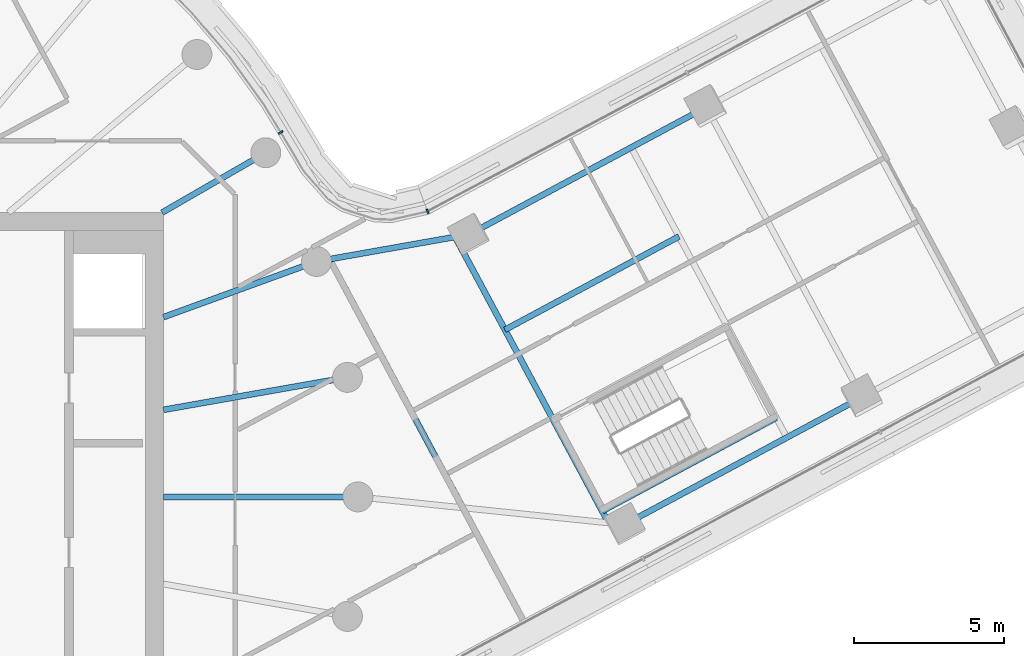
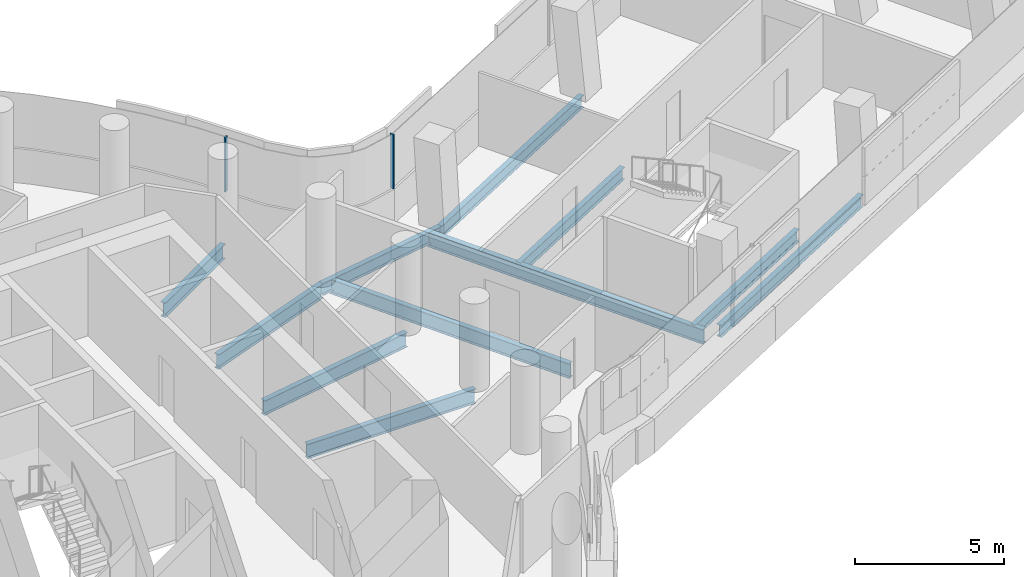
# One storey, part 11 of 33: 11 beams, 2 members, 1 element without a shape of its own.
"""IFC4 building model written with IfcOpenShell, lengths in metres."""

import ifcopenshell
import ifcopenshell.guid

model = None  # the IFC model being written
_history = None  # IfcOwnerHistory: only IFC2X3 demands one
_inside = {}  # id of a spatial element -> (the spatial element, [elements in it])
_under = {}  # id of a project, library or spatial element -> (it, [spatial elements below it])
_declared = {}  # id of a project -> (the project, [libraries it declares])
_typed = {}  # id of a type object -> (the type object, [elements of that type])
_made_of = {}  # id of a material, layer set ... -> (it, [elements and type objects made of it])


def new_model(schema):
    """Start an empty IFC model of exactly this schema.

    Asked for "IFC4X3", IfcOpenShell would pick the latest addendum, in which some entities
    have other attributes; the version numbers below select the first issue.
    IFC2X3 requires an IfcOwnerHistory on every rooted entity: one is made here for all.
    """
    global model, _history
    if schema == "IFC4X3":
        model = ifcopenshell.file(schema_version=(4, 3, 0, 0))
    else:
        model = ifcopenshell.file(schema=schema)
    _inside.clear()
    _under.clear()
    _declared.clear()
    _typed.clear()
    _made_of.clear()
    _history = None
    if model.schema == "IFC2X3":
        org = make("IfcOrganization", Name="unknown")
        user = make(
            "IfcPersonAndOrganization",
            ThePerson=make("IfcPerson", FamilyName="unknown"),
            TheOrganization=org,
        )
        app = make(
            "IfcApplication",
            ApplicationDeveloper=org,
            Version="unknown",
            ApplicationFullName="unknown",
            ApplicationIdentifier="unknown",
        )
        _history = make(
            "IfcOwnerHistory",
            OwningUser=user,
            OwningApplication=app,
            ChangeAction="ADDED",
            CreationDate=0,
        )
    return model


def make(cls, **values):
    """One entity of the class cls with the attributes given. An attribute that is None is left unset."""
    return model.create_entity(
        cls, **{name: value for name, value in values.items() if value is not None}
    )


def rooted(cls, **values):
    """An entity with a GlobalId (a new one), such as an element, a storey or a relation."""
    return make(cls, GlobalId=ifcopenshell.guid.new(), OwnerHistory=_history, **values)


def si_unit(unit_type, name, prefix=None):
    """IfcSIUnit, for example si_unit("LENGTHUNIT", "METRE", prefix="MILLI")."""
    return make("IfcSIUnit", UnitType=unit_type, Prefix=prefix, Name=name)


def assignment(units):
    """IfcUnitAssignment: the units of a project."""
    return None if units is None else make("IfcUnitAssignment", Units=units)


def point(xyz):
    """IfcCartesianPoint."""
    return None if xyz is None else make("IfcCartesianPoint", Coordinates=xyz)


def direction(xyz):
    """IfcDirection."""
    return None if xyz is None else make("IfcDirection", DirectionRatios=xyz)


def frame(location, z_axis=None, x_axis=None):
    """IfcAxis2Placement3D, a coordinate frame: its origin and axes. An axis left out is left unset."""
    return make(
        "IfcAxis2Placement3D",
        Location=point(location),
        Axis=direction(z_axis),
        RefDirection=direction(x_axis),
    )


def frame_2d(location, x_axis=None):
    """IfcAxis2Placement2D, a coordinate frame in the plane: its origin and x axis."""
    return make(
        "IfcAxis2Placement2D", Location=point(location), RefDirection=direction(x_axis)
    )


def origin():
    """The frame at (0, 0, 0) with its axes left unset."""
    return frame((0.0, 0.0, 0.0))


def origin_2d():
    """The frame at (0, 0) in the plane with its x axis left unset."""
    return frame_2d((0.0, 0.0))


def place(relative_to, where):
    """IfcLocalPlacement: puts the frame where relative to a parent placement (None: the world)."""
    return make(
        "IfcLocalPlacement", PlacementRelTo=relative_to, RelativePlacement=where
    )


def context(
    kind, dimensions, precision=None, world=None, true_north=None, identifier=None
):
    """IfcGeometricRepresentationContext, for example the 3D "Model" context."""
    return make(
        "IfcGeometricRepresentationContext",
        ContextIdentifier=identifier,
        ContextType=kind,
        CoordinateSpaceDimension=dimensions,
        Precision=precision,
        WorldCoordinateSystem=world,
        TrueNorth=true_north,
    )


def subcontext(parent, identifier, kind, view, scale=None):
    """IfcGeometricRepresentationSubContext, for example "Body" below "Model"."""
    return make(
        "IfcGeometricRepresentationSubContext",
        ContextIdentifier=identifier,
        ContextType=kind,
        ParentContext=parent,
        TargetScale=scale,
        TargetView=view,
    )


def project(units=None, contexts=None):
    """IfcProject with its units and contexts."""
    return rooted(
        "IfcProject",
        Name="project",
        RepresentationContexts=contexts,
        UnitsInContext=assignment(units),
    )


def spatial(cls, under=None, at=None, **own):
    """A site, building, storey or space (cls), placed at a placement, below another one or the project."""
    s = rooted(cls, ObjectPlacement=at, **own)
    if under is not None:
        _under.setdefault(under.id(), (under, []))[1].append(s)
    return s


def profile(cls, at=None, kind="AREA", **sizes):
    """A parametric profile (cls). Its sizes go by their IFC names, for example OverallWidth=200.0."""
    return make(cls, ProfileType=kind, Position=at, **sizes)


def rectangle(**sizes):
    """IfcRectangleProfileDef."""
    return profile("IfcRectangleProfileDef", **sizes)


def i_section(**sizes):
    """IfcIShapeProfileDef."""
    return profile("IfcIShapeProfileDef", **sizes)


def extrude(swept, where, along, depth):
    """IfcExtrudedAreaSolid: the profile swept, set in the frame where, extruded along a direction by depth."""
    return make(
        "IfcExtrudedAreaSolid",
        SweptArea=swept,
        Position=where,
        ExtrudedDirection=direction(along),
        Depth=depth,
    )


def shape(context_of_items, identifier, shape_type, items):
    """IfcShapeRepresentation: the items that make up one representation, for example the "Body"."""
    return make(
        "IfcShapeRepresentation",
        ContextOfItems=context_of_items,
        RepresentationIdentifier=identifier,
        RepresentationType=shape_type,
        Items=items,
    )


def material(Name=None, Category=None):
    """IfcMaterial."""
    return make("IfcMaterial", Name=Name, Category=Category)


def layer(
    of_material, thickness, ventilated=None, Name=None, Category=None, Priority=None
):
    """IfcMaterialLayer: one layer of a wall or slab, of a material (None: an air gap)."""
    return make(
        "IfcMaterialLayer",
        Material=of_material,
        LayerThickness=thickness,
        IsVentilated=ventilated,
        Name=Name,
        Category=Category,
        Priority=Priority,
    )


def layer_set(layers, Name=None):
    """IfcMaterialLayerSet."""
    return make("IfcMaterialLayerSet", MaterialLayers=layers, LayerSetName=Name)


def material_profile(
    of_material, cross_section, Name=None, Category=None, Priority=None
):
    """IfcMaterialProfile: a cross section and its material."""
    return make(
        "IfcMaterialProfile",
        Name=Name,
        Material=of_material,
        Profile=cross_section,
        Priority=Priority,
        Category=Category,
    )


def profile_set(profiles, Name=None, composite=None):
    """IfcMaterialProfileSet."""
    return make(
        "IfcMaterialProfileSet",
        Name=Name,
        MaterialProfiles=profiles,
        CompositeProfile=composite,
    )


def made_of(thing, what):
    """Note that an element or type object is made of a material, layer set ...; save() writes the relation."""
    if what is not None:
        _made_of.setdefault(what.id(), (what, []))[1].append(thing)
    return thing


def type_object(cls, material=None, **own):
    """A type object (cls), such as IfcWallType, which elements share."""
    return made_of(rooted(cls, **own), material)


def element(
    cls,
    number,
    at=None,
    inside=None,
    cuts=None,
    type_object=None,
    material=None,
    context=None,
    identifier="Body",
    shape_type=None,
    held_by="IfcProductDefinitionShape",
    body=None,
    shapes=None,
    **own,
):
    """One element of the class cls, such as IfcWall. Its Tag is "e" and its number.

    at: its placement. inside: the storey or other place that contains it. cuts: it is an
    opening in that element (IfcRelVoidsElement). A single representation is given by context,
    identifier, shape_type and body (its items); several are given by shapes. held_by: the class
    of the entity that holds the representations. save() writes the other relations.
    """
    e = rooted(cls, Tag="e%d" % number, ObjectPlacement=at, **own)
    if body is not None:
        shapes = [shape(context, identifier, shape_type, body)]
    if shapes is not None:
        e.Representation = make(held_by, Representations=shapes)
    if inside is not None:
        _inside.setdefault(inside.id(), (inside, []))[1].append(e)
    if cuts is not None:
        rooted(
            "IfcRelVoidsElement", RelatingBuildingElement=cuts, RelatedOpeningElement=e
        )
    if type_object is not None:
        _typed.setdefault(type_object.id(), (type_object, []))[1].append(e)
    return made_of(e, material)


def aggregate(whole, parts):
    """IfcRelAggregates: a whole, such as a stair, and the parts it consists of."""
    return rooted("IfcRelAggregates", RelatingObject=whole, RelatedObjects=parts)


def save(model, path):
    """Write the relations noted so far, then the file.

    IfcRelAggregates (storeys below a building ...), IfcRelContainedInSpatialStructure (elements
    in a storey), IfcRelDefinesByType, IfcRelAssociatesMaterial and IfcRelDeclares: one each for
    every whole, place, type object, material and project.
    """
    for whole, parts in _under.values():
        aggregate(whole, parts)
    for where, things in _inside.values():
        rooted(
            "IfcRelContainedInSpatialStructure",
            RelatedElements=things,
            RelatingStructure=where,
        )
    for kind, things in _typed.values():
        rooted("IfcRelDefinesByType", RelatedObjects=things, RelatingType=kind)
    for what, things in _made_of.values():
        rooted("IfcRelAssociatesMaterial", RelatedObjects=things, RelatingMaterial=what)
    for by, libraries in _declared.values():
        rooted("IfcRelDeclares", RelatingContext=by, RelatedDefinitions=libraries)
    model.write(path)


model = new_model("IFC4")

# Units and contexts
model_context = context("Model", 3, precision=1e-05, world=origin(), true_north=direction((0.0, 1.0)))
body_context = subcontext(model_context, "Body", "Model", "MODEL_VIEW")
ifc_project = project(units=[si_unit("LENGTHUNIT", "METRE"), si_unit("AREAUNIT", "SQUARE_METRE"), si_unit("VOLUMEUNIT", "CUBIC_METRE"), si_unit("PLANEANGLEUNIT", "RADIAN"), si_unit("MASSUNIT", "GRAM", prefix="KILO")], contexts=[model_context])

# Site, building, storey
site_placement = place(None, origin())
site = spatial("IfcSite", under=ifc_project, at=site_placement, CompositionType="ELEMENT")
building_placement = place(site_placement, origin())
building = spatial("IfcBuilding", under=site, at=building_placement, Name="Tamarind Cross Interchange Tower", CompositionType="ELEMENT")
storey_placement = place(building_placement, frame((0.0, 0.0, 136.75)))
storey = spatial("IfcBuildingStorey", under=building, at=storey_placement, Name="L33", CompositionType="ELEMENT", Elevation=136.75)

# Beams
ifc_material_1 = material(Name="Steel Q355B", Category="steel")
ifc_material_profile_1 = material_profile(ifc_material_1, i_section(OverallWidth=0.198974609375, OverallDepth=0.49609375, WebThickness=0.009033203125, FlangeThickness=0.013916015625, FilletRadius=0.012939453125, at=origin_2d()), Name="HN 496x199x9x14")
ifc_profile_set_1 = profile_set([ifc_material_profile_1], Name="Steel Q355B")
beam_type_1 = type_object("IfcBeamType", Name="Composite beam HN 496x199x9x14 Q355B", PredefinedType="BEAM", material=ifc_profile_set_1)
for number, where, z_axis, x_axis, name in (
    (1, (39.844970703125, 3.3310546875, -0.387939453125), (-0.881216495277, -0.472712902777, 0.0), (0.472712902777, -0.881216495277, 0.0), "Beam E-edgeem6"),
    (2, (34.645263671875, 13.0244140625, -0.387939453125), (-0.881216495277, -0.472712902777, 0.0), (0.472712902777, -0.881216495277, 0.0), "Beam E-edgeep3"),
):
    element("IfcBeam", number, at=place(storey_placement, frame(where, z_axis=z_axis, x_axis=x_axis)), inside=storey, type_object=beam_type_1, Name=name, PredefinedType="BEAM", context=body_context, shape_type="SweptSolid", body=[
        extrude(i_section(OverallWidth=0.198974609375, OverallDepth=0.49609375, WebThickness=0.009033203125, FlangeThickness=0.013916015625, FilletRadius=0.012939453125, at=origin_2d()), origin(), (0.0, 0.0, 1.0), 9.0),
    ])
beam_1_placement = place(storey_placement, frame((26.71435546875, 8.77001953125, -0.387939453125), z_axis=(-0.984673297958, -0.174408991421, 0.0), x_axis=(0.174408991421, -0.984673297958, 0.0)))
element("IfcBeam", 3, at=beam_1_placement, inside=storey, type_object=beam_type_1, Name="Beam E-linkep", PredefinedType="BEAM", context=body_context, shape_type="SweptSolid", body=[
    extrude(i_section(OverallWidth=0.198974609375, OverallDepth=0.49609375, WebThickness=0.009033203125, FlangeThickness=0.013916015625, FilletRadius=0.012939453125, at=origin_2d()), origin(), (0.0, 0.0, 1.0), 5.1806640625),
])
for number, where, z_axis, x_axis, name in (
    (4, (31.162841796875, -0.47509765625, -0.387939453125), (0.881223032974, 0.472700715207, 0.0), (-0.472700715207, 0.881223032974, 0.0), "Beam E-tr0"),
    (5, (27.9130859375, 5.583251953125, -0.387939453125), (0.881223032974, 0.472700715207, 0.0), (-0.472700715207, 0.881223032974, 0.0), "Beam E-stripp"),
):
    element("IfcBeam", number, at=place(storey_placement, frame(where, z_axis=z_axis, x_axis=x_axis)), inside=storey, type_object=beam_type_1, Name=name, PredefinedType="BEAM", context=body_context, shape_type="SweptSolid", body=[
        extrude(i_section(OverallWidth=0.198974609375, OverallDepth=0.49609375, WebThickness=0.009033203125, FlangeThickness=0.013916015625, FilletRadius=0.012939453125, at=origin_2d()), origin(), (0.0, 0.0, 1.0), 6.60009765625),
    ])
ifc_material_profile_2 = material_profile(ifc_material_1, i_section(OverallWidth=0.198974609375, OverallDepth=0.595947265625, WebThickness=0.010009765625, FlangeThickness=0.014892578125, FilletRadius=0.012939453125, at=origin_2d()), Name="HN 596x199x10x15")
ifc_profile_set_2 = profile_set([ifc_material_profile_2], Name="Steel Q355B")
beam_type_2 = type_object("IfcBeamType", Name="Composite beam HN 596x199x10x15 Q355B", PredefinedType="BEAM", material=ifc_profile_set_2)
beam_2_placement = place(storey_placement, frame((23.0, 0.0, -0.43798828125), z_axis=(-1.0, 0.0, 0.0), x_axis=(0.0, -1.0, 0.0)))
element("IfcBeam", 6, at=beam_2_placement, inside=storey, type_object=beam_type_2, Name="Beam HH00", PredefinedType="BEAM", context=body_context, shape_type="SweptSolid", body=[
    extrude(i_section(OverallWidth=0.198974609375, OverallDepth=0.595947265625, WebThickness=0.010009765625, FlangeThickness=0.014892578125, FilletRadius=0.012939453125, at=origin_2d()), origin(), (0.0, 0.0, 1.0), 6.5),
])
beam_3_placement = place(storey_placement, frame((22.650634765625, 3.993896484375, -0.43798828125), z_axis=(-0.984809127561, -0.173640382036, 0.0), x_axis=(0.173640382036, -0.984809127561, 0.0)))
element("IfcBeam", 7, at=beam_3_placement, inside=storey, type_object=beam_type_2, Name="Beam HH01", PredefinedType="BEAM", context=body_context, shape_type="SweptSolid", body=[
    extrude(i_section(OverallWidth=0.198974609375, OverallDepth=0.595947265625, WebThickness=0.010009765625, FlangeThickness=0.014892578125, FilletRadius=0.012939453125, at=origin_2d()), origin(), (0.0, 0.0, 1.0), 6.24560546875),
])
beam_4_placement = place(storey_placement, frame((21.613037109375, 7.866455078125, -0.43798828125), z_axis=(-0.939701685589, -0.341995236956, 0.0), x_axis=(0.341995236956, -0.939701685589, 0.0)))
element("IfcBeam", 8, at=beam_4_placement, inside=storey, type_object=beam_type_2, Name="Beam HH02", PredefinedType="BEAM", context=body_context, shape_type="SweptSolid", body=[
    extrude(i_section(OverallWidth=0.198974609375, OverallDepth=0.595947265625, WebThickness=0.010009765625, FlangeThickness=0.014892578125, FilletRadius=0.012939453125, at=origin_2d()), origin(), (0.0, 0.0, 1.0), 5.441162109375),
])
beam_5_placement = place(storey_placement, frame((19.918701171875, 11.5, -0.43798828125), z_axis=(-0.866026010844, -0.49999894854, 0.0), x_axis=(0.49999894854, -0.866026010844, 0.0)))
element("IfcBeam", 9, at=beam_5_placement, inside=storey, type_object=beam_type_2, Name="Beam HH03", PredefinedType="BEAM", context=body_context, shape_type="SweptSolid", body=[
    extrude(i_section(OverallWidth=0.198974609375, OverallDepth=0.595947265625, WebThickness=0.010009765625, FlangeThickness=0.014892578125, FilletRadius=0.012939453125, at=origin_2d()), origin(), (0.0, 0.0, 1.0), 4.0),
])
ifc_material_profile_3 = material_profile(ifc_material_1, i_section(OverallWidth=0.199951171875, OverallDepth=0.60009765625, WebThickness=0.010986328125, FlangeThickness=0.01708984375, FilletRadius=0.012939453125, at=origin_2d()), Name="HN 600x200x11x17")
ifc_profile_set_3 = profile_set([ifc_material_profile_3], Name="Steel Q355B")
beam_type_3 = type_object("IfcBeamType", Name="Composite beam HN 600x200x11x17 Q355B", PredefinedType="BEAM", material=ifc_profile_set_3)
beam_6_placement = place(storey_placement, frame((31.373291015625, -0.867431640625, -0.43994140625), z_axis=(-0.472689350422, 0.881229129113, 0.0), x_axis=(-0.881229129113, -0.472689350422, 0.0)))
element("IfcBeam", 10, at=beam_6_placement, inside=storey, type_object=beam_type_3, Name="Beam E-x298", PredefinedType="BEAM", context=body_context, shape_type="SweptSolid", body=[
    extrude(i_section(OverallWidth=0.199951171875, OverallDepth=0.60009765625, WebThickness=0.010986328125, FlangeThickness=0.01708984375, FilletRadius=0.012939453125, at=origin_2d()), origin(), (0.0, 0.0, 1.0), 10.8427734375),
])
beam_7_placement = place(storey_placement, frame((26.507080078125, -0.36328125, -0.43994140625), z_axis=(-0.472689202941, 0.881229208222, 0.0), x_axis=(-0.881229208222, -0.472689202941, 0.0)))
element("IfcBeam", 11, at=beam_7_placement, inside=storey, type_object=beam_type_3, Name="Beam E-x258", PredefinedType="BEAM", context=body_context, shape_type="SweptSolid", body=[
    extrude(i_section(OverallWidth=0.199951171875, OverallDepth=0.60009765625, WebThickness=0.010986328125, FlangeThickness=0.01708984375, FilletRadius=0.012939453125, at=origin_2d()), origin(), (0.0, 0.0, 1.0), 9.427001953125),
])

# Curtain wall, members
ifc_material_2 = material(Name="Aluminium 6063-T6", Category="aluminium")
ifc_layer = layer(ifc_material_2, 0.159912109375)
ifc_layer_set = layer_set([ifc_layer], Name="Aluminium 6063-T6")
curtain_wall_type = type_object("IfcCurtainWallType", Name="Office curtain wall, 9.0 m bays", PredefinedType="NOTDEFINED", material=ifc_layer_set)
curtain_wall_placement = place(storey_placement, origin())
curtain_wall = element("IfcCurtainWall", 12, at=curtain_wall_placement, inside=storey, type_object=curtain_wall_type, Name="CWS-L33-14", PredefinedType="NOTDEFINED")
ifc_material_profile_4 = material_profile(ifc_material_2, rectangle(XDim=0.06005859375, YDim=0.159912109375, at=origin_2d()), Name="Mullion CW1")
ifc_profile_set_4 = profile_set([ifc_material_profile_4], Name="Aluminium 6063-T6")
member_type = type_object("IfcMemberType", Name="Mullion CW1", PredefinedType="MULLION", material=ifc_profile_set_4)
member_1_placement = place(storey_placement, frame((25.3251953125, 9.54052734375, 1.39990234375), z_axis=(0.0, 0.0, 1.0), x_axis=(-0.936835110379, -0.349771319523, 0.0)))
member_1 = element("IfcMember", 13, at=member_1_placement, type_object=member_type, Name="CWM-L33-14-00", PredefinedType="MULLION", context=body_context, shape_type="SweptSolid", body=[
    extrude(rectangle(XDim=0.06005859375, YDim=0.159912109375, at=origin_2d()), origin(), (0.0, 0.0, 1.0), 2.210205078125),
])
member_2_placement = place(storey_placement, frame((20.4189453125, 12.179931640625, 1.39990234375), z_axis=(0.0, 0.0, 1.0), x_axis=(-0.515577308909, 0.856843065292, 0.0)))
member_2 = element("IfcMember", 14, at=member_2_placement, type_object=member_type, Name="CWM-L33-14-01", PredefinedType="MULLION", context=body_context, shape_type="SweptSolid", body=[
    extrude(rectangle(XDim=0.06005859375, YDim=0.159912109375, at=origin_2d()), origin(), (0.0, 0.0, 1.0), 2.210205078125),
])
aggregate(curtain_wall, [member_1, member_2])

save(model, "model.ifc")
